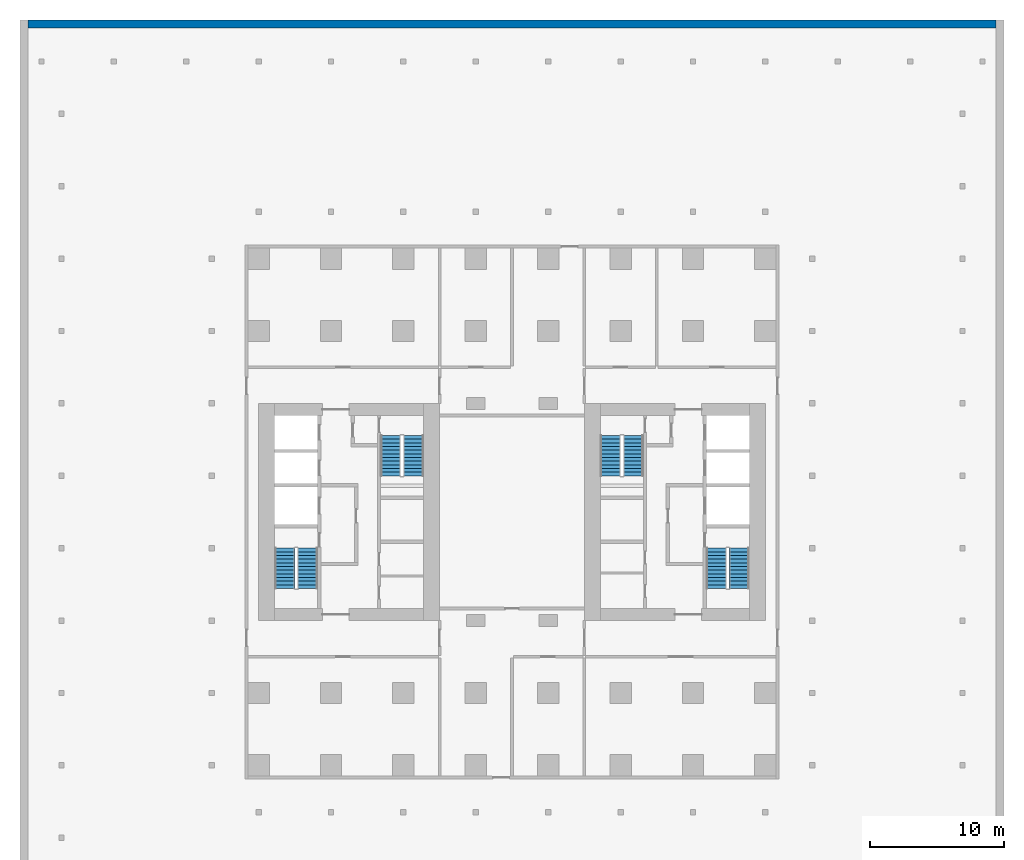
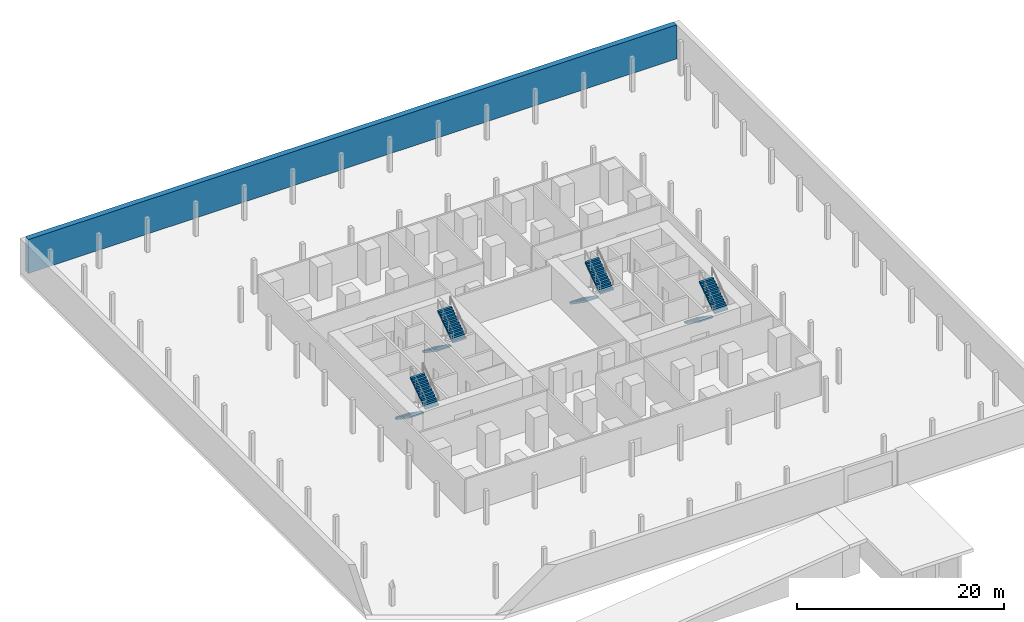
# One storey, part 5 of 6: 8 stair flights, 1 wall, 4 elements without a shape of their own.
"""IFC4 building model written with IfcOpenShell, lengths in metres."""

from ifc_helpers import new_model, si_unit, direction, frame, frame_2d, origin, place, context, subcontext, project, spatial, polyline, rectangle, outline, extrude, material, layer, layer_set, type_object, element, aggregate, save


model = new_model("IFC4")

# Units and contexts
model_context = context("Model", 3, precision=1e-05, world=origin(), true_north=direction((0.0, 1.0)))
body_context = subcontext(model_context, "Body", "Model", "MODEL_VIEW")
ifc_project = project(units=[si_unit("LENGTHUNIT", "METRE"), si_unit("AREAUNIT", "SQUARE_METRE"), si_unit("VOLUMEUNIT", "CUBIC_METRE"), si_unit("PLANEANGLEUNIT", "RADIAN"), si_unit("MASSUNIT", "GRAM", prefix="KILO")], contexts=[model_context])

# Site, building, storey
site_placement = place(None, origin())
site = spatial("IfcSite", under=ifc_project, at=site_placement, CompositionType="ELEMENT")
building_placement = place(site_placement, origin())
building = spatial("IfcBuilding", under=site, at=building_placement, Name="Tabaq Tower and Sports Hall", CompositionType="ELEMENT")
storey_placement = place(building_placement, frame((0.0, 0.0, -4.5)))
storey = spatial("IfcBuildingStorey", under=building, at=storey_placement, Name="B01", CompositionType="ELEMENT", Elevation=-4.5)

# Wall
ifc_material_1 = material(Name="Concrete C60/75", Category="concrete")
ifc_layer = layer(ifc_material_1, 0.60009765625)
ifc_layer_set = layer_set([ifc_layer], Name="RC RETAINING WALL 600 C60/75")
wall_type = type_object("IfcWallType", Name="RC RETAINING WALL 600 C60/75", PredefinedType="SOLIDWALL", material=ifc_layer_set)
wall_placement = place(storey_placement, frame((-11.800048828125, 60.699951171875, 0.0), z_axis=(0.0, 0.0, 1.0), x_axis=(1.0, 0.0, 0.0)))
element("IfcWall", 1, at=wall_placement, inside=storey, type_object=wall_type, Name="Retaining Wall North B01", PredefinedType="SOLIDWALL", context=body_context, shape_type="SweptSolid", body=[
    extrude(rectangle(XDim=72.199951171875, YDim=0.60009765625, at=frame_2d((36.10009765625, 0.0))), origin(), (0.0, 0.0, 1.0), 4.0),
])

# Stair, stair flights
ifc_material_2 = material(Name="Concrete C40/50", Category="concrete")
stair_type = type_object("IfcStairType", Name="Exit stair", PredefinedType="HALF_TURN_STAIR", material=ifc_material_2)
stair_1_placement = place(storey_placement, origin())
stair_1 = element("IfcStair", 2, at=stair_1_placement, inside=storey, type_object=stair_type, Name="B01 Exit stair ST1", PredefinedType="HALF_TURN_STAIR")
ifc_material_3 = material(Name="Concrete C40/50", Category="concrete")
stair_flight_type = type_object("IfcStairFlightType", Name="Exit stair flight", PredefinedType="STRAIGHT", material=ifc_material_3)
stair_flight_1_placement = place(storey_placement, frame((7.35009765625, 21.60009765625, 0.0), z_axis=(0.0, 0.0, 1.0), x_axis=(0.0, -1.0, 0.0)))
stair_flight_1 = element("IfcStairFlight", 3, at=stair_flight_1_placement, type_object=stair_flight_type, Name="ST1 flight 1", NumberOfRisers=12, NumberOfTreads=11, PredefinedType="STRAIGHT", RiserHeight=0.1875, TreadLength=0.272727273, context=body_context, shape_type="SweptSolid", body=[
    extrude(outline(polyline([(0.0, 0.0), (0.0, 0.1875), (0.272705078125, 0.1875), (0.272705078125, 0.375), (0.54541015625, 0.375), (0.54541015625, 0.5625), (0.818115234375, 0.5625), (0.818115234375, 0.75), (1.0908203125, 0.75), (1.0908203125, 0.9375), (1.363525390625, 0.9375), (1.363525390625, 1.125), (1.636474609375, 1.125), (1.636474609375, 1.3125), (1.9091796875, 1.3125), (1.9091796875, 1.5), (2.181884765625, 1.5), (2.181884765625, 1.6875), (2.45458984375, 1.6875), (2.45458984375, 1.875), (2.727294921875, 1.875), (2.727294921875, 2.0625), (3.0, 2.0625), (3.0, 2.25), (3.0, 1.880615234375), (0.2646484375, 0.0), (0.0, 0.0)])), frame((0.0, 0.75, 0.0), z_axis=(0.0, -1.0, 0.0), x_axis=(1.0, 0.0, 0.0)), (0.0, 0.0, 1.0), 1.5),
])
stair_flight_2_placement = place(storey_placement, frame((9.050048828125, 18.60009765625, 2.25), z_axis=(0.0, 0.0, 1.0), x_axis=(0.0, 1.0, 0.0)))
stair_flight_2 = element("IfcStairFlight", 4, at=stair_flight_2_placement, type_object=stair_flight_type, Name="ST1 flight 2", NumberOfRisers=12, NumberOfTreads=11, PredefinedType="STRAIGHT", RiserHeight=0.1875, TreadLength=0.272727273, context=body_context, shape_type="SweptSolid", body=[
    extrude(outline(polyline([(0.0, 0.0), (0.0, 0.1875), (0.272705078125, 0.1875), (0.272705078125, 0.375), (0.54541015625, 0.375), (0.54541015625, 0.5625), (0.818115234375, 0.5625), (0.818115234375, 0.75), (1.0908203125, 0.75), (1.0908203125, 0.9375), (1.363525390625, 0.9375), (1.363525390625, 1.125), (1.636474609375, 1.125), (1.636474609375, 1.3125), (1.9091796875, 1.3125), (1.9091796875, 1.5), (2.181884765625, 1.5), (2.181884765625, 1.6875), (2.45458984375, 1.6875), (2.45458984375, 1.875), (2.727294921875, 1.875), (2.727294921875, 2.0625), (3.0, 2.0625), (3.0, 2.25), (3.0, 1.880615234375), (0.2646484375, 0.0), (0.0, 0.0)])), frame((0.0, 0.75, 0.0), z_axis=(0.0, -1.0, 0.0), x_axis=(1.0, 0.0, 0.0)), (0.0, 0.0, 1.0), 1.5),
])
aggregate(stair_1, [stair_flight_1, stair_flight_2])

stair_2_placement = place(storey_placement, origin())
stair_2 = element("IfcStair", 5, at=stair_2_placement, inside=storey, type_object=stair_type, Name="B01 Exit stair ST2", PredefinedType="HALF_TURN_STAIR")
stair_flight_3_placement = place(storey_placement, frame((15.25, 30.0, 0.0), z_axis=(0.0, 0.0, 1.0), x_axis=(0.0, -1.0, 0.0)))
stair_flight_3 = element("IfcStairFlight", 6, at=stair_flight_3_placement, type_object=stair_flight_type, Name="ST2 flight 1", NumberOfRisers=12, NumberOfTreads=11, PredefinedType="STRAIGHT", RiserHeight=0.1875, TreadLength=0.272727273, context=body_context, shape_type="SweptSolid", body=[
    extrude(outline(polyline([(0.0, 0.0), (0.0, 0.1875), (0.272705078125, 0.1875), (0.272705078125, 0.375), (0.54541015625, 0.375), (0.54541015625, 0.5625), (0.818115234375, 0.5625), (0.818115234375, 0.75), (1.0908203125, 0.75), (1.0908203125, 0.9375), (1.363525390625, 0.9375), (1.363525390625, 1.125), (1.636474609375, 1.125), (1.636474609375, 1.3125), (1.9091796875, 1.3125), (1.9091796875, 1.5), (2.181884765625, 1.5), (2.181884765625, 1.6875), (2.45458984375, 1.6875), (2.45458984375, 1.875), (2.727294921875, 1.875), (2.727294921875, 2.0625), (3.0, 2.0625), (3.0, 2.25), (3.0, 1.880615234375), (0.2646484375, 0.0), (0.0, 0.0)])), frame((0.0, 0.75, 0.0), z_axis=(0.0, -1.0, 0.0), x_axis=(1.0, 0.0, 0.0)), (0.0, 0.0, 1.0), 1.5),
])
stair_flight_4_placement = place(storey_placement, frame((16.949951171875, 27.0, 2.25), z_axis=(0.0, 0.0, 1.0), x_axis=(0.0, 1.0, 0.0)))
stair_flight_4 = element("IfcStairFlight", 7, at=stair_flight_4_placement, type_object=stair_flight_type, Name="ST2 flight 2", NumberOfRisers=12, NumberOfTreads=11, PredefinedType="STRAIGHT", RiserHeight=0.1875, TreadLength=0.272727273, context=body_context, shape_type="SweptSolid", body=[
    extrude(outline(polyline([(0.0, 0.0), (0.0, 0.1875), (0.272705078125, 0.1875), (0.272705078125, 0.375), (0.54541015625, 0.375), (0.54541015625, 0.5625), (0.818115234375, 0.5625), (0.818115234375, 0.75), (1.0908203125, 0.75), (1.0908203125, 0.9375), (1.363525390625, 0.9375), (1.363525390625, 1.125), (1.636474609375, 1.125), (1.636474609375, 1.3125), (1.9091796875, 1.3125), (1.9091796875, 1.5), (2.181884765625, 1.5), (2.181884765625, 1.6875), (2.45458984375, 1.6875), (2.45458984375, 1.875), (2.727294921875, 1.875), (2.727294921875, 2.0625), (3.0, 2.0625), (3.0, 2.25), (3.0, 1.880615234375), (0.2646484375, 0.0), (0.0, 0.0)])), frame((0.0, 0.75, 0.0), z_axis=(0.0, -1.0, 0.0), x_axis=(1.0, 0.0, 0.0)), (0.0, 0.0, 1.0), 1.5),
])
aggregate(stair_2, [stair_flight_3, stair_flight_4])

stair_3_placement = place(storey_placement, origin())
stair_3 = element("IfcStair", 8, at=stair_3_placement, inside=storey, type_object=stair_type, Name="B01 Exit stair ST3", PredefinedType="HALF_TURN_STAIR")
stair_flight_5_placement = place(storey_placement, frame((39.550048828125, 21.60009765625, 0.0), z_axis=(0.0, 0.0, 1.0), x_axis=(0.0, -1.0, 0.0)))
stair_flight_5 = element("IfcStairFlight", 9, at=stair_flight_5_placement, type_object=stair_flight_type, Name="ST3 flight 1", NumberOfRisers=12, NumberOfTreads=11, PredefinedType="STRAIGHT", RiserHeight=0.1875, TreadLength=0.272727273, context=body_context, shape_type="SweptSolid", body=[
    extrude(outline(polyline([(0.0, 0.0), (0.0, 0.1875), (0.272705078125, 0.1875), (0.272705078125, 0.375), (0.54541015625, 0.375), (0.54541015625, 0.5625), (0.818115234375, 0.5625), (0.818115234375, 0.75), (1.0908203125, 0.75), (1.0908203125, 0.9375), (1.363525390625, 0.9375), (1.363525390625, 1.125), (1.636474609375, 1.125), (1.636474609375, 1.3125), (1.9091796875, 1.3125), (1.9091796875, 1.5), (2.181884765625, 1.5), (2.181884765625, 1.6875), (2.45458984375, 1.6875), (2.45458984375, 1.875), (2.727294921875, 1.875), (2.727294921875, 2.0625), (3.0, 2.0625), (3.0, 2.25), (3.0, 1.880615234375), (0.2646484375, 0.0), (0.0, 0.0)])), frame((0.0, 0.75, 0.0), z_axis=(0.0, -1.0, 0.0), x_axis=(1.0, 0.0, 0.0)), (0.0, 0.0, 1.0), 1.5),
])
stair_flight_6_placement = place(storey_placement, frame((41.25, 18.60009765625, 2.25), z_axis=(0.0, 0.0, 1.0), x_axis=(0.0, 1.0, 0.0)))
stair_flight_6 = element("IfcStairFlight", 10, at=stair_flight_6_placement, type_object=stair_flight_type, Name="ST3 flight 2", NumberOfRisers=12, NumberOfTreads=11, PredefinedType="STRAIGHT", RiserHeight=0.1875, TreadLength=0.272727273, context=body_context, shape_type="SweptSolid", body=[
    extrude(outline(polyline([(0.0, 0.0), (0.0, 0.1875), (0.272705078125, 0.1875), (0.272705078125, 0.375), (0.54541015625, 0.375), (0.54541015625, 0.5625), (0.818115234375, 0.5625), (0.818115234375, 0.75), (1.0908203125, 0.75), (1.0908203125, 0.9375), (1.363525390625, 0.9375), (1.363525390625, 1.125), (1.636474609375, 1.125), (1.636474609375, 1.3125), (1.9091796875, 1.3125), (1.9091796875, 1.5), (2.181884765625, 1.5), (2.181884765625, 1.6875), (2.45458984375, 1.6875), (2.45458984375, 1.875), (2.727294921875, 1.875), (2.727294921875, 2.0625), (3.0, 2.0625), (3.0, 2.25), (3.0, 1.880615234375), (0.2646484375, 0.0), (0.0, 0.0)])), frame((0.0, 0.75, 0.0), z_axis=(0.0, -1.0, 0.0), x_axis=(1.0, 0.0, 0.0)), (0.0, 0.0, 1.0), 1.5),
])
aggregate(stair_3, [stair_flight_5, stair_flight_6])

stair_4_placement = place(storey_placement, origin())
stair_4 = element("IfcStair", 11, at=stair_4_placement, inside=storey, type_object=stair_type, Name="B01 Exit stair ST4", PredefinedType="HALF_TURN_STAIR")
stair_flight_7_placement = place(storey_placement, frame((31.64990234375, 30.0, 0.0), z_axis=(0.0, 0.0, 1.0), x_axis=(0.0, -1.0, 0.0)))
stair_flight_7 = element("IfcStairFlight", 12, at=stair_flight_7_placement, type_object=stair_flight_type, Name="ST4 flight 1", NumberOfRisers=12, NumberOfTreads=11, PredefinedType="STRAIGHT", RiserHeight=0.1875, TreadLength=0.272727273, context=body_context, shape_type="SweptSolid", body=[
    extrude(outline(polyline([(0.0, 0.0), (0.0, 0.1875), (0.272705078125, 0.1875), (0.272705078125, 0.375), (0.54541015625, 0.375), (0.54541015625, 0.5625), (0.818115234375, 0.5625), (0.818115234375, 0.75), (1.0908203125, 0.75), (1.0908203125, 0.9375), (1.363525390625, 0.9375), (1.363525390625, 1.125), (1.636474609375, 1.125), (1.636474609375, 1.3125), (1.9091796875, 1.3125), (1.9091796875, 1.5), (2.181884765625, 1.5), (2.181884765625, 1.6875), (2.45458984375, 1.6875), (2.45458984375, 1.875), (2.727294921875, 1.875), (2.727294921875, 2.0625), (3.0, 2.0625), (3.0, 2.25), (3.0, 1.880615234375), (0.2646484375, 0.0), (0.0, 0.0)])), frame((0.0, 0.75, 0.0), z_axis=(0.0, -1.0, 0.0), x_axis=(1.0, 0.0, 0.0)), (0.0, 0.0, 1.0), 1.5),
])
stair_flight_8_placement = place(storey_placement, frame((33.35009765625, 27.0, 2.25), z_axis=(0.0, 0.0, 1.0), x_axis=(0.0, 1.0, 0.0)))
stair_flight_8 = element("IfcStairFlight", 13, at=stair_flight_8_placement, type_object=stair_flight_type, Name="ST4 flight 2", NumberOfRisers=12, NumberOfTreads=11, PredefinedType="STRAIGHT", RiserHeight=0.1875, TreadLength=0.272727273, context=body_context, shape_type="SweptSolid", body=[
    extrude(outline(polyline([(0.0, 0.0), (0.0, 0.1875), (0.272705078125, 0.1875), (0.272705078125, 0.375), (0.54541015625, 0.375), (0.54541015625, 0.5625), (0.818115234375, 0.5625), (0.818115234375, 0.75), (1.0908203125, 0.75), (1.0908203125, 0.9375), (1.363525390625, 0.9375), (1.363525390625, 1.125), (1.636474609375, 1.125), (1.636474609375, 1.3125), (1.9091796875, 1.3125), (1.9091796875, 1.5), (2.181884765625, 1.5), (2.181884765625, 1.6875), (2.45458984375, 1.6875), (2.45458984375, 1.875), (2.727294921875, 1.875), (2.727294921875, 2.0625), (3.0, 2.0625), (3.0, 2.25), (3.0, 1.880615234375), (0.2646484375, 0.0), (0.0, 0.0)])), frame((0.0, 0.75, 0.0), z_axis=(0.0, -1.0, 0.0), x_axis=(1.0, 0.0, 0.0)), (0.0, 0.0, 1.0), 1.5),
])
aggregate(stair_4, [stair_flight_7, stair_flight_8])

save(model, "model.ifc")
